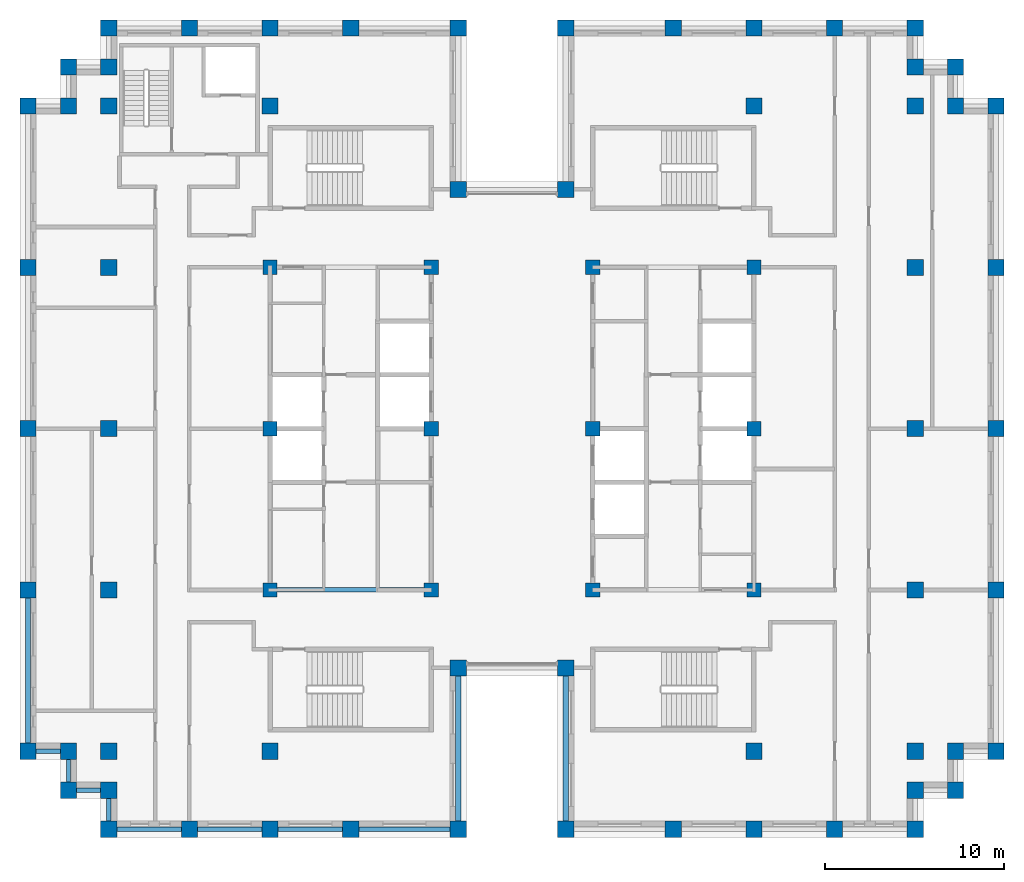
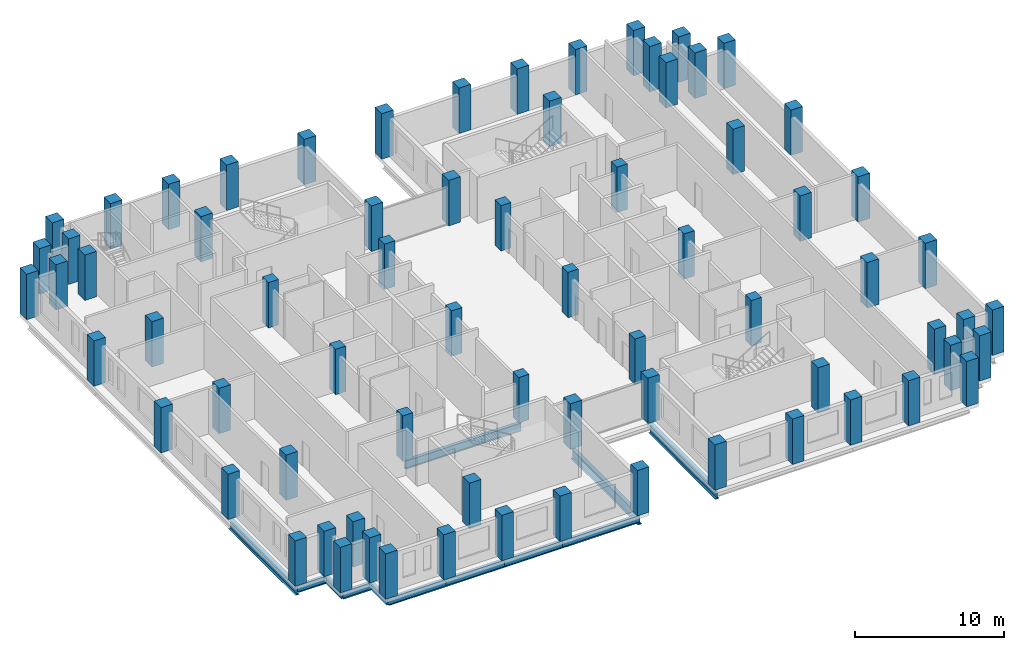
# One storey, part 1 of 13: 72 columns, 12 beams.
"""IFC4 building model written with IfcOpenShell, lengths in metres."""

from ifc_helpers import new_model, si_unit, direction, frame, origin, origin_2d, place, context, subcontext, project, spatial, rectangle, i_section, extrude, material, material_profile, profile_set, type_object, element, save


model = new_model("IFC4")

# Units and contexts
model_context = context("Model", 3, precision=1e-05, world=origin(), true_north=direction((0.0, 1.0)))
body_context = subcontext(model_context, "Body", "Model", "MODEL_VIEW")
ifc_project = project(units=[si_unit("LENGTHUNIT", "METRE"), si_unit("AREAUNIT", "SQUARE_METRE"), si_unit("VOLUMEUNIT", "CUBIC_METRE"), si_unit("PLANEANGLEUNIT", "RADIAN"), si_unit("MASSUNIT", "GRAM", prefix="KILO")], contexts=[model_context])

# Site, building, storey
site_placement = place(None, origin())
site = spatial("IfcSite", under=ifc_project, at=site_placement, CompositionType="ELEMENT")
building_placement = place(site_placement, origin())
building = spatial("IfcBuilding", under=site, at=building_placement, Name="Corbelhall Arena Tower", CompositionType="ELEMENT")
storey_placement = place(building_placement, frame((0.0, 0.0, 274.0)))
storey = spatial("IfcBuildingStorey", under=building, at=storey_placement, Name="L59", CompositionType="ELEMENT", Elevation=274.0)

# Columns
ifc_material_1 = material(Name="Concrete C80/95", Category="concrete")
ifc_material_profile_1 = material_profile(ifc_material_1, rectangle(XDim=0.800048828125, YDim=0.800048828125, at=origin_2d()))
ifc_profile_set_1 = profile_set([ifc_material_profile_1], Name="Concrete C80/95")
column_type_1 = type_object("IfcColumnType", Name="ST-COL-RC 800x800", PredefinedType="COLUMN", material=ifc_profile_set_1)
for number, where, z_axis, x_axis, name in (
    (1, (4.5, 0.0, 0.0), (0.0, 0.0, 1.0), (1.0, 0.0, 0.0), "Column KE+0450+0000"),
    (2, (4.5, 9.0, 0.0), (0.0, 0.0, 1.0), (1.0, 0.0, 0.0), "Column KE+0450+0900"),
    (3, (4.5, -9.0, 0.0), (0.0, 0.0, 1.0), (1.0, 0.0, 0.0), "Column KE+0450-0900"),
    (4, (13.5, 0.0, 0.0), (0.0, 0.0, 1.0), (1.0, 0.0, 0.0), "Column KE+1350+0000"),
    (5, (13.5, 9.0, 0.0), (0.0, 0.0, 1.0), (1.0, 0.0, 0.0), "Column KE+1350+0900"),
    (6, (13.5, -9.0, 0.0), (0.0, 0.0, 1.0), (1.0, 0.0, 0.0), "Column KE+1350-0900"),
    (7, (-4.5, 0.0, 0.0), (0.0, 0.0, 1.0), (1.0, 0.0, 0.0), "Column KW-0450+0000"),
    (8, (-4.5, 9.0, 0.0), (0.0, 0.0, 1.0), (1.0, 0.0, 0.0), "Column KW-0450+0900"),
    (9, (-4.5, -9.0, 0.0), (0.0, 0.0, 1.0), (1.0, 0.0, 0.0), "Column KW-0450-0900"),
    (10, (-13.5, 0.0, 0.0), (0.0, 0.0, 1.0), (1.0, 0.0, 0.0), "Column KW-1350+0000"),
    (11, (-13.5, 9.0, 0.0), (0.0, 0.0, 1.0), (1.0, 0.0, 0.0), "Column KW-1350+0900"),
    (12, (-13.5, -9.0, 0.0), (0.0, 0.0, 1.0), (1.0, 0.0, 0.0), "Column KW-1350-0900"),
):
    element("IfcColumn", number, at=place(storey_placement, frame(where, z_axis=z_axis, x_axis=x_axis)), inside=storey, type_object=column_type_1, Name=name, PredefinedType="COLUMN", context=body_context, shape_type="SweptSolid", body=[
        extrude(rectangle(XDim=0.800048828125, YDim=0.800048828125, at=origin_2d()), origin(), (0.0, 0.0, 1.0), 3.719970703125),
    ])
ifc_material_profile_2 = material_profile(ifc_material_1, rectangle(XDim=0.89990234375, YDim=0.89990234375, at=origin_2d()))
ifc_profile_set_2 = profile_set([ifc_material_profile_2], Name="Concrete C80/95")
column_type_2 = type_object("IfcColumnType", Name="ST-COL-RC 900x900", PredefinedType="COLUMN", material=ifc_profile_set_2)
for number, where, z_axis, x_axis, name in (
    (13, (13.5, 18.0, 0.0), (0.0, 0.0, 1.0), (1.0, 0.0, 0.0), "Column IE13+1800"),
    (14, (13.5, -18.0, 0.0), (0.0, 0.0, 1.0), (1.0, 0.0, 0.0), "Column IE13-1800"),
    (15, (22.5, 0.0, 0.0), (0.0, 0.0, 1.0), (1.0, 0.0, 0.0), "Column IE22+0000"),
    (16, (22.5, 9.0, 0.0), (0.0, 0.0, 1.0), (1.0, 0.0, 0.0), "Column IE22+0900"),
    (17, (22.5, 18.0, 0.0), (0.0, 0.0, 1.0), (1.0, 0.0, 0.0), "Column IE22+1800"),
    (18, (22.5, -9.0, 0.0), (0.0, 0.0, 1.0), (1.0, 0.0, 0.0), "Column IE22-0900"),
    (19, (22.5, -18.0, 0.0), (0.0, 0.0, 1.0), (1.0, 0.0, 0.0), "Column IE22-1800"),
    (20, (-13.5, 18.0, 0.0), (0.0, 0.0, 1.0), (1.0, 0.0, 0.0), "Column IW13+1800"),
    (21, (-13.5, -18.0, 0.0), (0.0, 0.0, 1.0), (1.0, 0.0, 0.0), "Column IW13-1800"),
    (22, (-22.5, 0.0, 0.0), (0.0, 0.0, 1.0), (1.0, 0.0, 0.0), "Column IW22+0000"),
    (23, (-22.5, 9.0, 0.0), (0.0, 0.0, 1.0), (1.0, 0.0, 0.0), "Column IW22+0900"),
    (24, (-22.5, 18.0, 0.0), (0.0, 0.0, 1.0), (1.0, 0.0, 0.0), "Column IW22+1800"),
    (25, (-22.5, -9.0, 0.0), (0.0, 0.0, 1.0), (1.0, 0.0, 0.0), "Column IW22-0900"),
    (26, (-22.5, -18.0, 0.0), (0.0, 0.0, 1.0), (1.0, 0.0, 0.0), "Column IW22-1800"),
    (27, (27.0, 0.0, 0.0), (0.0, 0.0, 1.0), (0.0, 1.0, 0.0), "Column PE+0000"),
    (28, (27.0, 9.0, 0.0), (0.0, 0.0, 1.0), (0.0, 1.0, 0.0), "Column PE+0900"),
    (29, (27.0, 18.0, 0.0), (0.0, 0.0, 1.0), (0.0, 1.0, 0.0), "Column PE+1800"),
    (30, (27.0, -9.0, 0.0), (0.0, 0.0, 1.0), (0.0, 1.0, 0.0), "Column PE-0900"),
    (31, (27.0, -18.0, 0.0), (0.0, 0.0, 1.0), (0.0, 1.0, 0.0), "Column PE-1800"),
    (32, (3.0, 22.35009765625, 0.0), (0.0, 0.0, 1.0), (1.0, 0.0, 0.0), "Column PNE0300"),
    (33, (9.0, 22.35009765625, 0.0), (0.0, 0.0, 1.0), (1.0, 0.0, 0.0), "Column PNE0900"),
    (34, (13.5, 22.35009765625, 0.0), (0.0, 0.0, 1.0), (1.0, 0.0, 0.0), "Column PNE1350"),
    (35, (18.0, 22.35009765625, 0.0), (0.0, 0.0, 1.0), (1.0, 0.0, 0.0), "Column PNE1800"),
    (36, (22.5, 22.35009765625, 0.0), (0.0, 0.0, 1.0), (1.0, 0.0, 0.0), "Column PNE2250"),
    (37, (-3.0, 22.35009765625, 0.0), (0.0, 0.0, 1.0), (1.0, 0.0, 0.0), "Column PNW0300"),
    (38, (-9.0, 22.35009765625, 0.0), (0.0, 0.0, 1.0), (1.0, 0.0, 0.0), "Column PNW0900"),
    (39, (-13.5, 22.35009765625, 0.0), (0.0, 0.0, 1.0), (1.0, 0.0, 0.0), "Column PNW1350"),
    (40, (-18.0, 22.35009765625, 0.0), (0.0, 0.0, 1.0), (1.0, 0.0, 0.0), "Column PNW1800"),
    (41, (-22.5, 22.35009765625, 0.0), (0.0, 0.0, 1.0), (1.0, 0.0, 0.0), "Column PNW2250"),
    (42, (3.0, -22.35009765625, 0.0), (0.0, 0.0, 1.0), (1.0, 0.0, 0.0), "Column PSE0300"),
    (43, (9.0, -22.35009765625, 0.0), (0.0, 0.0, 1.0), (1.0, 0.0, 0.0), "Column PSE0900"),
    (44, (13.5, -22.35009765625, 0.0), (0.0, 0.0, 1.0), (1.0, 0.0, 0.0), "Column PSE1350"),
    (45, (18.0, -22.35009765625, 0.0), (0.0, 0.0, 1.0), (1.0, 0.0, 0.0), "Column PSE1800"),
    (46, (22.5, -22.35009765625, 0.0), (0.0, 0.0, 1.0), (1.0, 0.0, 0.0), "Column PSE2250"),
    (47, (-3.0, -22.35009765625, 0.0), (0.0, 0.0, 1.0), (1.0, 0.0, 0.0), "Column PSW0300"),
    (48, (-9.0, -22.35009765625, 0.0), (0.0, 0.0, 1.0), (1.0, 0.0, 0.0), "Column PSW0900"),
    (49, (-13.5, -22.35009765625, 0.0), (0.0, 0.0, 1.0), (1.0, 0.0, 0.0), "Column PSW1350"),
    (50, (-18.0, -22.35009765625, 0.0), (0.0, 0.0, 1.0), (1.0, 0.0, 0.0), "Column PSW1800"),
    (51, (-22.5, -22.35009765625, 0.0), (0.0, 0.0, 1.0), (1.0, 0.0, 0.0), "Column PSW2250"),
    (52, (-27.0, 0.0, 0.0), (0.0, 0.0, 1.0), (0.0, 1.0, 0.0), "Column PW+0000"),
    (53, (-27.0, 9.0, 0.0), (0.0, 0.0, 1.0), (0.0, 1.0, 0.0), "Column PW+0900"),
    (54, (-27.0, 18.0, 0.0), (0.0, 0.0, 1.0), (0.0, 1.0, 0.0), "Column PW+1800"),
    (55, (-27.0, -9.0, 0.0), (0.0, 0.0, 1.0), (0.0, 1.0, 0.0), "Column PW-0900"),
    (56, (-27.0, -18.0, 0.0), (0.0, 0.0, 1.0), (0.0, 1.0, 0.0), "Column PW-1800"),
    (57, (3.0, 13.35009765625, 0.0), (0.0, 0.0, 1.0), (1.0, 0.0, 0.0), "Column SLNE2"),
    (58, (-3.0, 13.35009765625, 0.0), (0.0, 0.0, 1.0), (1.0, 0.0, 0.0), "Column SLNW2"),
    (59, (3.0, -13.35009765625, 0.0), (0.0, 0.0, 1.0), (1.0, 0.0, 0.0), "Column SLSE2"),
    (60, (-3.0, -13.35009765625, 0.0), (0.0, 0.0, 1.0), (1.0, 0.0, 0.0), "Column SLSW2"),
    (61, (22.5, 20.175048828125, 0.0), (0.0, 0.0, 1.0), (1.0, 0.0, 0.0), "Column XNE1"),
    (62, (24.75, 20.175048828125, 0.0), (0.0, 0.0, 1.0), (1.0, 0.0, 0.0), "Column XNE2"),
    (63, (24.75, 18.0, 0.0), (0.0, 0.0, 1.0), (1.0, 0.0, 0.0), "Column XNE3"),
    (64, (-22.5, 20.175048828125, 0.0), (0.0, 0.0, 1.0), (1.0, 0.0, 0.0), "Column XNW1"),
    (65, (-24.75, 20.175048828125, 0.0), (0.0, 0.0, 1.0), (1.0, 0.0, 0.0), "Column XNW2"),
    (66, (-24.75, 18.0, 0.0), (0.0, 0.0, 1.0), (1.0, 0.0, 0.0), "Column XNW3"),
    (67, (22.5, -20.175048828125, 0.0), (0.0, 0.0, 1.0), (1.0, 0.0, 0.0), "Column XSE1"),
    (68, (24.75, -20.175048828125, 0.0), (0.0, 0.0, 1.0), (1.0, 0.0, 0.0), "Column XSE2"),
    (69, (24.75, -18.0, 0.0), (0.0, 0.0, 1.0), (1.0, 0.0, 0.0), "Column XSE3"),
    (70, (-22.5, -20.175048828125, 0.0), (0.0, 0.0, 1.0), (1.0, 0.0, 0.0), "Column XSW1"),
    (71, (-24.75, -20.175048828125, 0.0), (0.0, 0.0, 1.0), (1.0, 0.0, 0.0), "Column XSW2"),
    (72, (-24.75, -18.0, 0.0), (0.0, 0.0, 1.0), (1.0, 0.0, 0.0), "Column XSW3"),
):
    element("IfcColumn", number, at=place(storey_placement, frame(where, z_axis=z_axis, x_axis=x_axis)), inside=storey, type_object=column_type_2, Name=name, PredefinedType="COLUMN", context=body_context, shape_type="SweptSolid", body=[
        extrude(rectangle(XDim=0.89990234375, YDim=0.89990234375, at=origin_2d()), origin(), (0.0, 0.0, 1.0), 3.719970703125),
    ])

# Beams
ifc_material_2 = material(Name="Steel ASTM A992 Gr50", Category="steel")
ifc_material_profile_3 = material_profile(ifc_material_2, i_section(OverallWidth=0.25390625, OverallDepth=0.67822265625, WebThickness=0.01171875, FlangeThickness=0.016357421875, at=origin_2d()))
ifc_profile_set_3 = profile_set([ifc_material_profile_3], Name="Steel ASTM A992 Gr50")
beam_type_1 = type_object("IfcBeamType", Name="ST-BEAM-W27x84", PredefinedType="BEAM", material=ifc_profile_set_3)
beam_1_placement = place(storey_placement, frame((-13.5, -9.0, -0.619140625), z_axis=(1.0, 0.0, 0.0), x_axis=(0.0, 1.0, 0.0)))
element("IfcBeam", 73, at=beam_1_placement, inside=storey, type_object=beam_type_1, Name="Beam CEW 5", PredefinedType="BEAM", context=body_context, shape_type="SweptSolid", body=[
    extrude(i_section(OverallWidth=0.25390625, OverallDepth=0.67822265625, WebThickness=0.01171875, FlangeThickness=0.016357421875, at=origin_2d()), origin(), (0.0, 0.0, 1.0), 9.0),
])
ifc_material_profile_4 = material_profile(ifc_material_2, i_section(OverallWidth=0.227783203125, OverallDepth=0.60205078125, WebThickness=0.010498046875, FlangeThickness=0.014892578125, at=origin_2d()))
ifc_profile_set_4 = profile_set([ifc_material_profile_4], Name="Steel ASTM A992 Gr50")
beam_type_2 = type_object("IfcBeamType", Name="ST-SPANDREL-W24x68", PredefinedType="SPANDREL", material=ifc_profile_set_4)
beam_2_placement = place(storey_placement, frame((-3.0, -22.35009765625, -0.5810546875), z_axis=(-1.0, 0.0, 0.0), x_axis=(0.0, -1.0, 0.0)))
element("IfcBeam", 74, at=beam_2_placement, inside=storey, type_object=beam_type_2, Name="Beam SP 21", PredefinedType="SPANDREL", context=body_context, shape_type="SweptSolid", body=[
    extrude(i_section(OverallWidth=0.227783203125, OverallDepth=0.60205078125, WebThickness=0.010498046875, FlangeThickness=0.014892578125, at=origin_2d()), origin(), (0.0, 0.0, 1.0), 6.0),
])
for number, where, z_axis, x_axis, name in (
    (75, (-9.0, -22.35009765625, -0.5810546875), (-1.0, 0.0, 0.0), (0.0, -1.0, 0.0), "Beam SP 22"),
    (76, (-13.5, -22.35009765625, -0.5810546875), (-1.0, 0.0, 0.0), (0.0, -1.0, 0.0), "Beam SP 23"),
    (77, (-18.0, -22.35009765625, -0.5810546875), (-1.0, 0.0, 0.0), (0.0, -1.0, 0.0), "Beam SP 24"),
):
    element("IfcBeam", number, at=place(storey_placement, frame(where, z_axis=z_axis, x_axis=x_axis)), inside=storey, type_object=beam_type_2, Name=name, PredefinedType="SPANDREL", context=body_context, shape_type="SweptSolid", body=[
        extrude(i_section(OverallWidth=0.227783203125, OverallDepth=0.60205078125, WebThickness=0.010498046875, FlangeThickness=0.014892578125, at=origin_2d()), origin(), (0.0, 0.0, 1.0), 4.5),
    ])
beam_3_placement = place(storey_placement, frame((-22.5, -22.35009765625, -0.5810546875), z_axis=(0.0, 1.0, 0.0), x_axis=(-1.0, 0.0, 0.0)))
element("IfcBeam", 78, at=beam_3_placement, inside=storey, type_object=beam_type_2, Name="Beam SP 25", PredefinedType="SPANDREL", context=body_context, shape_type="SweptSolid", body=[
    extrude(i_section(OverallWidth=0.227783203125, OverallDepth=0.60205078125, WebThickness=0.010498046875, FlangeThickness=0.014892578125, at=origin_2d()), origin(), (0.0, 0.0, 1.0), 2.175048828125),
])
beam_4_placement = place(storey_placement, frame((-22.5, -20.175048828125, -0.5810546875), z_axis=(-1.0, 0.0, 0.0), x_axis=(0.0, -1.0, 0.0)))
element("IfcBeam", 79, at=beam_4_placement, inside=storey, type_object=beam_type_2, Name="Beam SP 44", PredefinedType="SPANDREL", context=body_context, shape_type="SweptSolid", body=[
    extrude(i_section(OverallWidth=0.227783203125, OverallDepth=0.60205078125, WebThickness=0.010498046875, FlangeThickness=0.014892578125, at=origin_2d()), origin(), (0.0, 0.0, 1.0), 2.25),
])
beam_5_placement = place(storey_placement, frame((-24.75, -20.175048828125, -0.5810546875), z_axis=(0.0, 1.0, 0.0), x_axis=(-1.0, 0.0, 0.0)))
element("IfcBeam", 80, at=beam_5_placement, inside=storey, type_object=beam_type_2, Name="Beam SP 45", PredefinedType="SPANDREL", context=body_context, shape_type="SweptSolid", body=[
    extrude(i_section(OverallWidth=0.227783203125, OverallDepth=0.60205078125, WebThickness=0.010498046875, FlangeThickness=0.014892578125, at=origin_2d()), origin(), (0.0, 0.0, 1.0), 2.175048828125),
])
beam_6_placement = place(storey_placement, frame((-24.75, -18.0, -0.5810546875), z_axis=(-1.0, 0.0, 0.0), x_axis=(0.0, -1.0, 0.0)))
element("IfcBeam", 81, at=beam_6_placement, inside=storey, type_object=beam_type_2, Name="Beam SP 46", PredefinedType="SPANDREL", context=body_context, shape_type="SweptSolid", body=[
    extrude(i_section(OverallWidth=0.227783203125, OverallDepth=0.60205078125, WebThickness=0.010498046875, FlangeThickness=0.014892578125, at=origin_2d()), origin(), (0.0, 0.0, 1.0), 2.25),
])
ifc_material_profile_5 = material_profile(ifc_material_2, i_section(OverallWidth=0.2919921875, OverallDepth=0.845703125, WebThickness=0.015380859375, FlangeThickness=0.0244140625, at=origin_2d()))
ifc_profile_set_5 = profile_set([ifc_material_profile_5], Name="Steel ASTM A992 Gr50")
beam_type_3 = type_object("IfcBeamType", Name="ST-SPANDREL-W33x141", PredefinedType="SPANDREL", material=ifc_profile_set_5)
for number, where, z_axis, x_axis, name in (
    (82, (3.0, -22.35009765625, -0.702880859375), (0.0, 1.0, 0.0), (-1.0, 0.0, 0.0), "Beam SP 16"),
    (83, (-27.0, -18.0, -0.702880859375), (0.0, 1.0, 0.0), (-1.0, 0.0, 0.0), "Beam SP 30"),
    (84, (-3.0, -13.35009765625, -0.702880859375), (0.0, -1.0, 0.0), (1.0, 0.0, 0.0), "Beam SP 34"),
):
    element("IfcBeam", number, at=place(storey_placement, frame(where, z_axis=z_axis, x_axis=x_axis)), inside=storey, type_object=beam_type_3, Name=name, PredefinedType="SPANDREL", context=body_context, shape_type="SweptSolid", body=[
        extrude(i_section(OverallWidth=0.2919921875, OverallDepth=0.845703125, WebThickness=0.015380859375, FlangeThickness=0.0244140625, at=origin_2d()), origin(), (0.0, 0.0, 1.0), 9.0),
    ])

save(model, "model.ifc")
